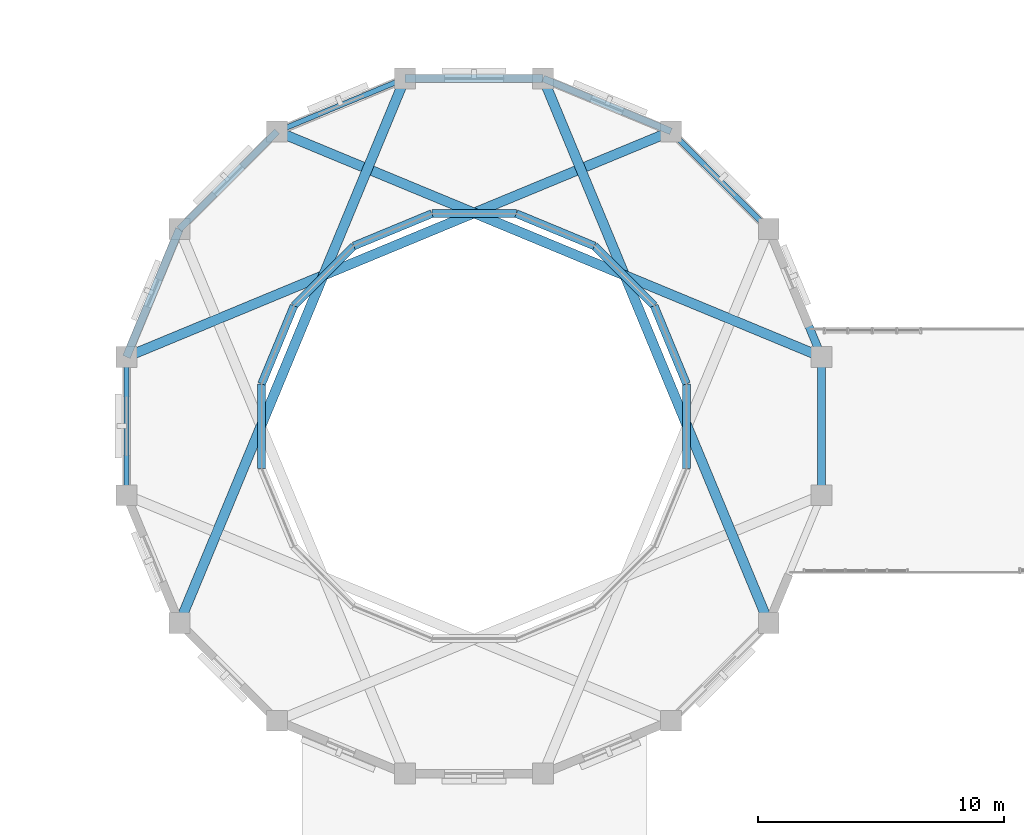
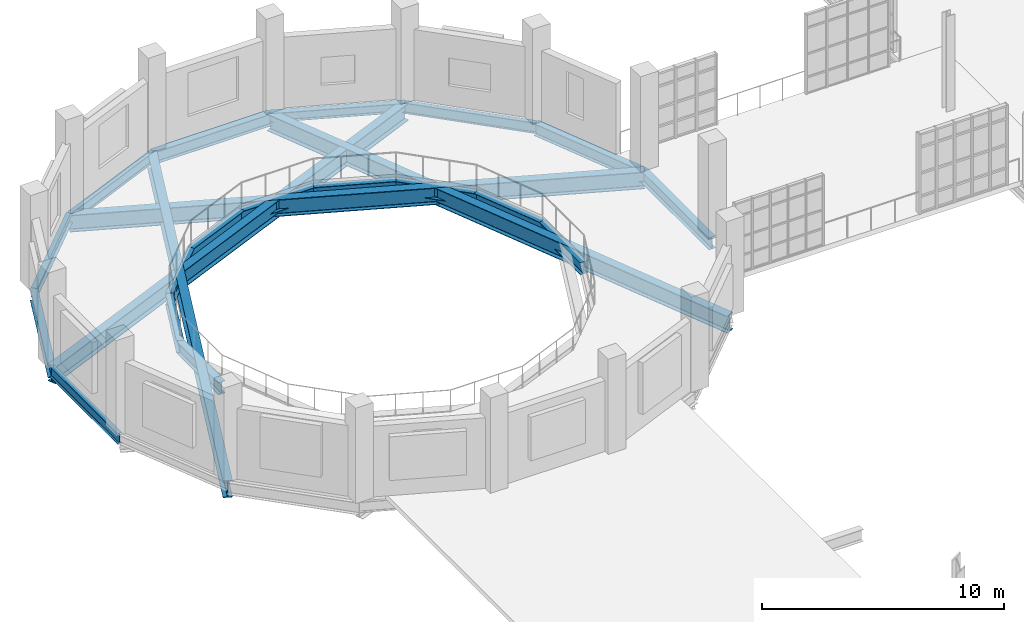
# One storey, part 44 of 122: 22 beams.
"""IFC4 building model written with IfcOpenShell, lengths in metres."""

from ifc_helpers import new_model, si_unit, direction, frame, origin, origin_2d, place, context, subcontext, project, spatial, i_section, extrude, material, material_profile, profile_set, type_object, element, save


model = new_model("IFC4")

# Units and contexts
model_context = context("Model", 3, precision=1e-05, world=origin(), true_north=direction((0.0, 1.0)))
body_context = subcontext(model_context, "Body", "Model", "MODEL_VIEW")
ifc_project = project(units=[si_unit("LENGTHUNIT", "METRE"), si_unit("AREAUNIT", "SQUARE_METRE"), si_unit("VOLUMEUNIT", "CUBIC_METRE"), si_unit("PLANEANGLEUNIT", "RADIAN"), si_unit("MASSUNIT", "GRAM", prefix="KILO"), si_unit("THERMODYNAMICTEMPERATUREUNIT", "KELVIN"), si_unit("POWERUNIT", "WATT")], contexts=[model_context])

# Site, building, storey
site_placement = place(None, origin())
site = spatial("IfcSite", under=ifc_project, at=site_placement, CompositionType="ELEMENT")
building_placement = place(site_placement, origin())
building = spatial("IfcBuilding", under=site, at=building_placement, Name="Zelmaris Science Centre", CompositionType="ELEMENT")
storey_placement = place(building_placement, frame((0.0, 0.0, 10.800048828125)))
storey = spatial("IfcBuildingStorey", under=building, at=storey_placement, Name="L02", CompositionType="ELEMENT", Elevation=10.800048828125)

# Beams
ifc_material = material(Name="Steel ASTM A992 Grade 50", Category="steel")
ifc_material_profile_1 = material_profile(ifc_material, i_section(OverallWidth=0.40087890625, OverallDepth=0.85595703125, WebThickness=0.018310546875, FlangeThickness=0.029296875, FilletRadius=0.02001953125, at=origin_2d()), Name="W33X201")
ifc_profile_set_1 = profile_set([ifc_material_profile_1], Name="Steel ASTM A992 Grade 50")
beam_type_1 = type_object("IfcBeamType", Name="Beam G-05 W33X201", PredefinedType="BEAM", material=ifc_profile_set_1)
for number, where, z_axis, x_axis, name in (
    (1, (41.123291015625, 74.809326171875, -0.68798828125), (-0.923880269992, 0.382681651925, 0.0), (-0.382681651925, -0.923880269992, 0.0), "L02 Planetarium gallery chord girder 1"),
    (2, (35.000244140625, 83.97314453125, -0.68798828125), (-0.923880269992, -0.382681651925, 0.0), (0.382681651925, -0.923880269992, 0.0), "L02 Planetarium gallery chord girder 3"),
    (3, (24.190673828125, 86.123291015625, -0.68798828125), (-0.382681651925, -0.923880269992, 0.0), (0.923880269992, -0.382681651925, 0.0), "L02 Planetarium gallery chord girder 5"),
    (4, (38.97314453125, 63.999755859375, -0.68798828125), (-0.382681651925, 0.923880269992, 0.0), (-0.923880269992, -0.382681651925, 0.0), "L02 Planetarium gallery chord girder 15"),
):
    element("IfcBeam", number, at=place(storey_placement, frame(where, z_axis=z_axis, x_axis=x_axis)), inside=storey, type_object=beam_type_1, Name=name, PredefinedType="BEAM", context=body_context, shape_type="SweptSolid", body=[
        extrude(i_section(OverallWidth=0.40087890625, OverallDepth=0.85595703125, WebThickness=0.018310546875, FlangeThickness=0.029296875, FilletRadius=0.02001953125, at=origin_2d()), origin(), (0.0, 0.0, 1.0), 23.9462890625),
    ])
ifc_material_profile_2 = material_profile(ifc_material, i_section(OverallWidth=0.324951171875, OverallDepth=0.612060546875, WebThickness=0.0126953125, FlangeThickness=0.01904296875, FilletRadius=0.014892578125, at=origin_2d()), Name="W24X104")
ifc_profile_set_2 = profile_set([ifc_material_profile_2], Name="Steel ASTM A992 Grade 50")
beam_type_2 = type_object("IfcBeamType", Name="Beam G-15 W24X104", PredefinedType="BEAM", material=ifc_profile_set_2)
for number, where, z_axis, x_axis, name in (
    (5, (35.630859375, 73.716796875, -0.566162109375), (-0.382690908705, 0.923876435675, 0.0), (-0.923876435675, -0.382690908705, 0.0), "L02 Planetarium gallery inner ring beam 1"),
    (6, (34.31689453125, 76.888916015625, -0.566162109375), (-0.707106781187, 0.707106781187, 0.0), (-0.707106781187, -0.707106781187, 0.0), "L02 Planetarium gallery inner ring beam 2"),
    (7, (31.888916015625, 79.31689453125, -0.566162109375), (-0.923876435675, 0.382690908705, 0.0), (-0.382690908705, -0.923876435675, 0.0), "L02 Planetarium gallery inner ring beam 3"),
    (8, (28.716796875, 80.630859375, -0.566162109375), (-1.0, 0.0, 0.0), (0.0, -1.0, 0.0), "L02 Planetarium gallery inner ring beam 4"),
    (9, (25.283203125, 80.630859375, -0.566162109375), (-0.923876435675, -0.382690908705, 0.0), (0.382690908705, -0.923876435675, 0.0), "L02 Planetarium gallery inner ring beam 5"),
    (10, (22.111083984375, 79.31689453125, -0.566162109375), (-0.707106781187, -0.707106781187, 0.0), (0.707106781187, -0.707106781187, 0.0), "L02 Planetarium gallery inner ring beam 6"),
    (11, (19.68310546875, 76.888916015625, -0.566162109375), (-0.382690908705, -0.923876435675, 0.0), (0.923876435675, -0.382690908705, 0.0), "L02 Planetarium gallery inner ring beam 7"),
    (12, (18.369140625, 73.716796875, -0.566162109375), (0.0, -1.0, 0.0), (1.0, 0.0, 0.0), "L02 Planetarium gallery inner ring beam 8"),
    (13, (35.630859375, 70.283203125, -0.566162109375), (0.0, 1.0, 0.0), (-1.0, 0.0, 0.0), "L02 Planetarium gallery inner ring beam 16"),
):
    element("IfcBeam", number, at=place(storey_placement, frame(where, z_axis=z_axis, x_axis=x_axis)), inside=storey, type_object=beam_type_2, Name=name, PredefinedType="BEAM", context=body_context, shape_type="SweptSolid", body=[
        extrude(i_section(OverallWidth=0.324951171875, OverallDepth=0.612060546875, WebThickness=0.0126953125, FlangeThickness=0.01904296875, FilletRadius=0.014892578125, at=origin_2d()), origin(), (0.0, 0.0, 1.0), 3.43359375),
    ])
ifc_material_profile_3 = material_profile(ifc_material, i_section(OverallWidth=0.324951171875, OverallDepth=0.612060546875, WebThickness=0.0126953125, FlangeThickness=0.01904296875, FilletRadius=0.014892578125, at=origin_2d()), Name="W24X104")
ifc_profile_set_3 = profile_set([ifc_material_profile_3], Name="Steel ASTM A992 Grade 50")
beam_type_3 = type_object("IfcBeamType", Name="Beam SP-01 W24X104", PredefinedType="SPANDREL", material=ifc_profile_set_3)
for number, where, z_axis, x_axis, name in (
    (14, (41.123291015625, 74.809326171875, -0.566162109375), (-0.38268310735, 0.923879667137, 0.0), (-0.923879667137, -0.38268310735, 0.0), "L02 Planetarium drum ring beam 1"),
    (15, (29.809326171875, 86.123291015625, -0.566162109375), (-1.0, 0.0, 0.0), (0.0, -1.0, 0.0), "L02 Planetarium drum ring beam 4"),
    (16, (15.02685546875, 80.000244140625, -0.566162109375), (-0.38268310735, -0.923879667137, 0.0), (0.923879667137, -0.38268310735, 0.0), "L02 Planetarium drum ring beam 7"),
    (17, (41.123291015625, 69.190673828125, -0.566162109375), (0.0, 1.0, 0.0), (-1.0, 0.0, 0.0), "L02 Planetarium drum ring beam 16"),
):
    element("IfcBeam", number, at=place(storey_placement, frame(where, z_axis=z_axis, x_axis=x_axis)), inside=storey, type_object=beam_type_3, Name=name, PredefinedType="SPANDREL", context=body_context, shape_type="SweptSolid", body=[
        extrude(i_section(OverallWidth=0.324951171875, OverallDepth=0.612060546875, WebThickness=0.0126953125, FlangeThickness=0.01904296875, FilletRadius=0.014892578125, at=origin_2d()), origin(), (0.0, 0.0, 1.0), 5.61865234375),
    ])
ifc_material_profile_4 = material_profile(ifc_material, i_section(OverallWidth=0.2109375, OverallDepth=0.5380859375, WebThickness=0.01171875, FlangeThickness=0.018798828125, FilletRadius=0.013916015625, at=origin_2d()), Name="W21X73")
ifc_profile_set_4 = profile_set([ifc_material_profile_4], Name="Steel ASTM A992 Grade 50")
beam_type_4 = type_object("IfcBeamType", Name="Beam SP-02 W21X73", PredefinedType="SPANDREL", material=ifc_profile_set_4)
beam_1_placement = place(storey_placement, frame((38.97314453125, 80.000244140625, -0.529052734375), z_axis=(-0.707106781187, 0.707106781187, 0.0), x_axis=(-0.707106781187, -0.707106781187, 0.0)))
element("IfcBeam", 18, at=beam_1_placement, inside=storey, type_object=beam_type_4, Name="L02 Planetarium drum ring beam 2", PredefinedType="SPANDREL", context=body_context, shape_type="SweptSolid", body=[
    extrude(i_section(OverallWidth=0.2109375, OverallDepth=0.5380859375, WebThickness=0.01171875, FlangeThickness=0.018798828125, FilletRadius=0.013916015625, at=origin_2d()), origin(), (0.0, 0.0, 1.0), 5.618408203125),
])
for number, where, z_axis, x_axis, name in (
    (19, (24.190673828125, 86.123291015625, -0.529052734375), (-0.923879667137, -0.38268310735, 0.0), (0.38268310735, -0.923879667137, 0.0), "L02 Planetarium drum ring beam 5"),
    (20, (12.876708984375, 74.809326171875, -0.529052734375), (0.0, -1.0, 0.0), (1.0, 0.0, 0.0), "L02 Planetarium drum ring beam 8"),
):
    element("IfcBeam", number, at=place(storey_placement, frame(where, z_axis=z_axis, x_axis=x_axis)), inside=storey, type_object=beam_type_4, Name=name, PredefinedType="SPANDREL", context=body_context, shape_type="SweptSolid", body=[
        extrude(i_section(OverallWidth=0.2109375, OverallDepth=0.5380859375, WebThickness=0.01171875, FlangeThickness=0.018798828125, FilletRadius=0.013916015625, at=origin_2d()), origin(), (0.0, 0.0, 1.0), 5.61865234375),
    ])
ifc_material_profile_5 = material_profile(ifc_material, i_section(OverallWidth=0.279052734375, OverallDepth=0.4619140625, WebThickness=0.0107421875, FlangeThickness=0.017333984375, FilletRadius=0.012939453125, at=origin_2d()), Name="W18X76")
ifc_profile_set_5 = profile_set([ifc_material_profile_5], Name="Steel ASTM A992 Grade 50")
beam_type_5 = type_object("IfcBeamType", Name="Beam SP-03 W18X76", PredefinedType="SPANDREL", material=ifc_profile_set_5)
beam_2_placement = place(storey_placement, frame((35.000244140625, 83.97314453125, -0.490966796875), z_axis=(-0.923879667137, 0.38268310735, 0.0), x_axis=(-0.38268310735, -0.923879667137, 0.0)))
element("IfcBeam", 21, at=beam_2_placement, inside=storey, type_object=beam_type_5, Name="L02 Planetarium drum ring beam 3", PredefinedType="SPANDREL", context=body_context, shape_type="SweptSolid", body=[
    extrude(i_section(OverallWidth=0.279052734375, OverallDepth=0.4619140625, WebThickness=0.0107421875, FlangeThickness=0.017333984375, FilletRadius=0.012939453125, at=origin_2d()), origin(), (0.0, 0.0, 1.0), 5.61865234375),
])
beam_3_placement = place(storey_placement, frame((18.999755859375, 83.97314453125, -0.490966796875), z_axis=(-0.707106781187, -0.707106781187, 0.0), x_axis=(0.707106781187, -0.707106781187, 0.0)))
element("IfcBeam", 22, at=beam_3_placement, inside=storey, type_object=beam_type_5, Name="L02 Planetarium drum ring beam 6", PredefinedType="SPANDREL", context=body_context, shape_type="SweptSolid", body=[
    extrude(i_section(OverallWidth=0.279052734375, OverallDepth=0.4619140625, WebThickness=0.0107421875, FlangeThickness=0.017333984375, FilletRadius=0.012939453125, at=origin_2d()), origin(), (0.0, 0.0, 1.0), 5.618408203125),
])

save(model, "model.ifc")
